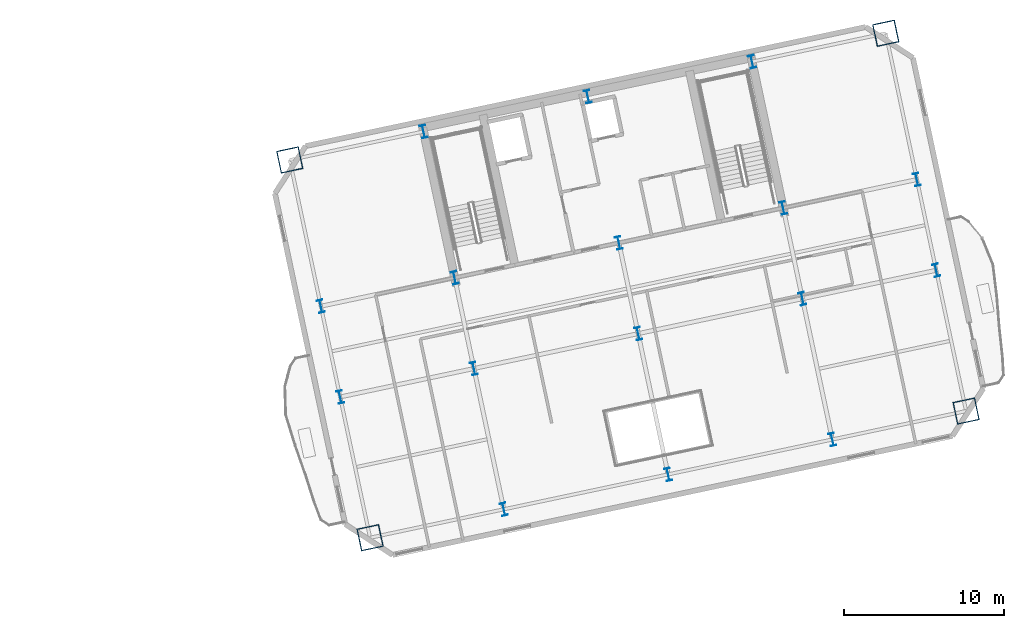
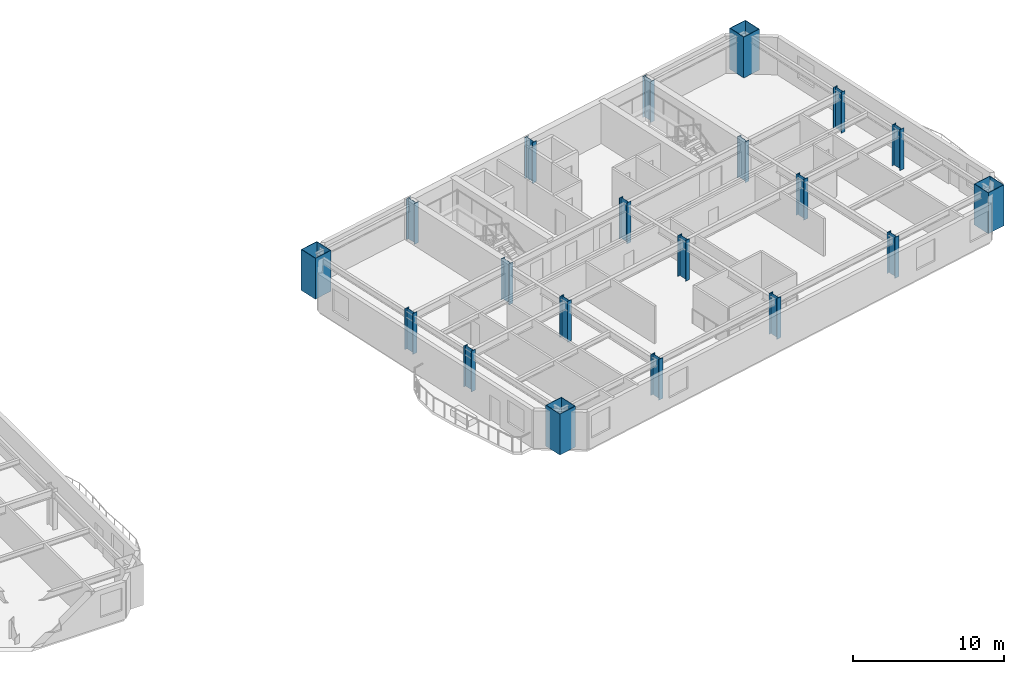
# One storey, part 2 of 13: 20 columns.
"""IFC4 building model written with IfcOpenShell, lengths in metres."""

from ifc_helpers import new_model, si_unit, direction, frame, origin, origin_2d, place, context, subcontext, project, spatial, hollow_rectangle, i_section, extrude, material, material_profile, profile_set, type_object, element, save


model = new_model("IFC4")

# Units and contexts
model_context = context("Model", 3, precision=1e-05, world=origin(), true_north=direction((0.0, 1.0)))
body_context = subcontext(model_context, "Body", "Model", "MODEL_VIEW")
ifc_project = project(units=[si_unit("LENGTHUNIT", "METRE"), si_unit("AREAUNIT", "SQUARE_METRE"), si_unit("VOLUMEUNIT", "CUBIC_METRE"), si_unit("PLANEANGLEUNIT", "RADIAN"), si_unit("MASSUNIT", "GRAM", prefix="KILO")], contexts=[model_context])

# Site, building, storey
site_placement = place(None, origin())
site = spatial("IfcSite", under=ifc_project, at=site_placement, CompositionType="ELEMENT")
building_placement = place(site_placement, origin())
building = spatial("IfcBuilding", under=site, at=building_placement, Name="Haevon Station Towers", CompositionType="ELEMENT")
storey_placement = place(building_placement, frame((0.0, 0.0, 99.89990234375)))
storey = spatial("IfcBuildingStorey", under=building, at=storey_placement, Name="L26", CompositionType="ELEMENT", Elevation=99.89990234375)

# Columns
ifc_material = material(Name="Steel S460", Category="steel")
ifc_material_profile_1 = material_profile(ifc_material, hollow_rectangle(XDim=1.39990234375, YDim=1.39990234375, WallThickness=0.035888671875, at=origin_2d()), Name="BOX-1400x1400x36")
ifc_profile_set_1 = profile_set([ifc_material_profile_1], Name="Steel S460")
column_type_1 = type_object("IfcColumnType", Name="COL-MC3", PredefinedType="COLUMN", material=ifc_profile_set_1)
for number, where, z_axis, x_axis, name in (
    (1, (93.46630859375, 21.188232421875, 0.0), (0.0, 0.0, 1.0), (0.978147600734, 0.207911690818, 0.0), "COL-T2-L26-01-01"),
    (2, (88.4453125, 44.810546875, 0.0), (0.0, 0.0, 1.0), (0.978147600734, 0.207911690818, 0.0), "COL-T2-L26-01-04"),
    (3, (130.733642578125, 29.109619140625, 0.0), (0.0, 0.0, 1.0), (0.978147600734, 0.207911690818, 0.0), "COL-T2-L26-05-01"),
    (4, (125.712646484375, 52.73193359375, 0.0), (0.0, 0.0, 1.0), (0.978147600734, 0.207911690818, 0.0), "COL-T2-L26-05-04"),
):
    element("IfcColumn", number, at=place(storey_placement, frame(where, z_axis=z_axis, x_axis=x_axis)), inside=storey, type_object=column_type_1, Name=name, PredefinedType="COLUMN", context=body_context, shape_type="SweptSolid", body=[
        extrude(hollow_rectangle(XDim=1.39990234375, YDim=1.39990234375, WallThickness=0.035888671875, at=origin_2d()), origin(), (0.0, 0.0, 1.0), 3.300048828125),
    ])
ifc_material_profile_2 = material_profile(ifc_material, i_section(OverallWidth=0.35009765625, OverallDepth=0.800048828125, WebThickness=0.01806640625, FlangeThickness=0.031982421875, at=origin_2d()), Name="H-800x350x18x32")
ifc_profile_set_2 = profile_set([ifc_material_profile_2], Name="Steel S460")
column_type_2 = type_object("IfcColumnType", Name="COL-TW2", PredefinedType="COLUMN", material=ifc_profile_set_2)
for number, where, z_axis, x_axis, name in (
    (5, (91.594970703125, 29.991455078125, 0.0), (0.0, 0.0, 1.0), (0.978147600734, 0.207911690818, 0.0), "COL-T2-L26-01-02"),
    (6, (90.38916015625, 35.664794921875, 0.0), (0.0, 0.0, 1.0), (0.978147600734, 0.207911690818, 0.0), "COL-T2-L26-01-03"),
    (7, (101.829345703125, 22.9658203125, 0.0), (0.0, 0.0, 1.0), (0.978147600734, 0.207911690818, 0.0), "COL-T2-L26-02-01"),
    (8, (99.958251953125, 31.76904296875, 0.0), (0.0, 0.0, 1.0), (0.978147600734, 0.207911690818, 0.0), "COL-T2-L26-02-02"),
    (9, (98.75244140625, 37.4423828125, 0.0), (0.0, 0.0, 1.0), (0.978147600734, 0.207911690818, 0.0), "COL-T2-L26-02-03"),
    (10, (96.808349609375, 46.588134765625, 0.0), (0.0, 0.0, 1.0), (0.978147600734, 0.207911690818, 0.0), "COL-T2-L26-02-04"),
    (11, (112.10009765625, 25.14892578125, 0.0), (0.0, 0.0, 1.0), (0.978147600734, 0.207911690818, 0.0), "COL-T2-L26-03-01"),
    (12, (110.228759765625, 33.9521484375, 0.0), (0.0, 0.0, 1.0), (0.978147600734, 0.207911690818, 0.0), "COL-T2-L26-03-02"),
    (13, (109.02294921875, 39.62548828125, 0.0), (0.0, 0.0, 1.0), (0.978147600734, 0.207911690818, 0.0), "COL-T2-L26-03-03"),
    (14, (107.078857421875, 48.771240234375, 0.0), (0.0, 0.0, 1.0), (0.978147600734, 0.207911690818, 0.0), "COL-T2-L26-03-04"),
    (15, (122.37060546875, 27.33203125, 0.0), (0.0, 0.0, 1.0), (0.978147600734, 0.207911690818, 0.0), "COL-T2-L26-04-01"),
    (16, (120.499267578125, 36.13525390625, 0.0), (0.0, 0.0, 1.0), (0.978147600734, 0.207911690818, 0.0), "COL-T2-L26-04-02"),
    (17, (119.29345703125, 41.80859375, 0.0), (0.0, 0.0, 1.0), (0.978147600734, 0.207911690818, 0.0), "COL-T2-L26-04-03"),
    (18, (117.349365234375, 50.954345703125, 0.0), (0.0, 0.0, 1.0), (0.978147600734, 0.207911690818, 0.0), "COL-T2-L26-04-04"),
    (19, (128.862548828125, 37.912841796875, 0.0), (0.0, 0.0, 1.0), (0.978147600734, 0.207911690818, 0.0), "COL-T2-L26-05-02"),
    (20, (127.656494140625, 43.586181640625, 0.0), (0.0, 0.0, 1.0), (0.978147600734, 0.207911690818, 0.0), "COL-T2-L26-05-03"),
):
    element("IfcColumn", number, at=place(storey_placement, frame(where, z_axis=z_axis, x_axis=x_axis)), inside=storey, type_object=column_type_2, Name=name, PredefinedType="COLUMN", context=body_context, shape_type="SweptSolid", body=[
        extrude(i_section(OverallWidth=0.35009765625, OverallDepth=0.800048828125, WebThickness=0.01806640625, FlangeThickness=0.031982421875, at=origin_2d()), origin(), (0.0, 0.0, 1.0), 3.300048828125),
    ])

save(model, "model.ifc")
